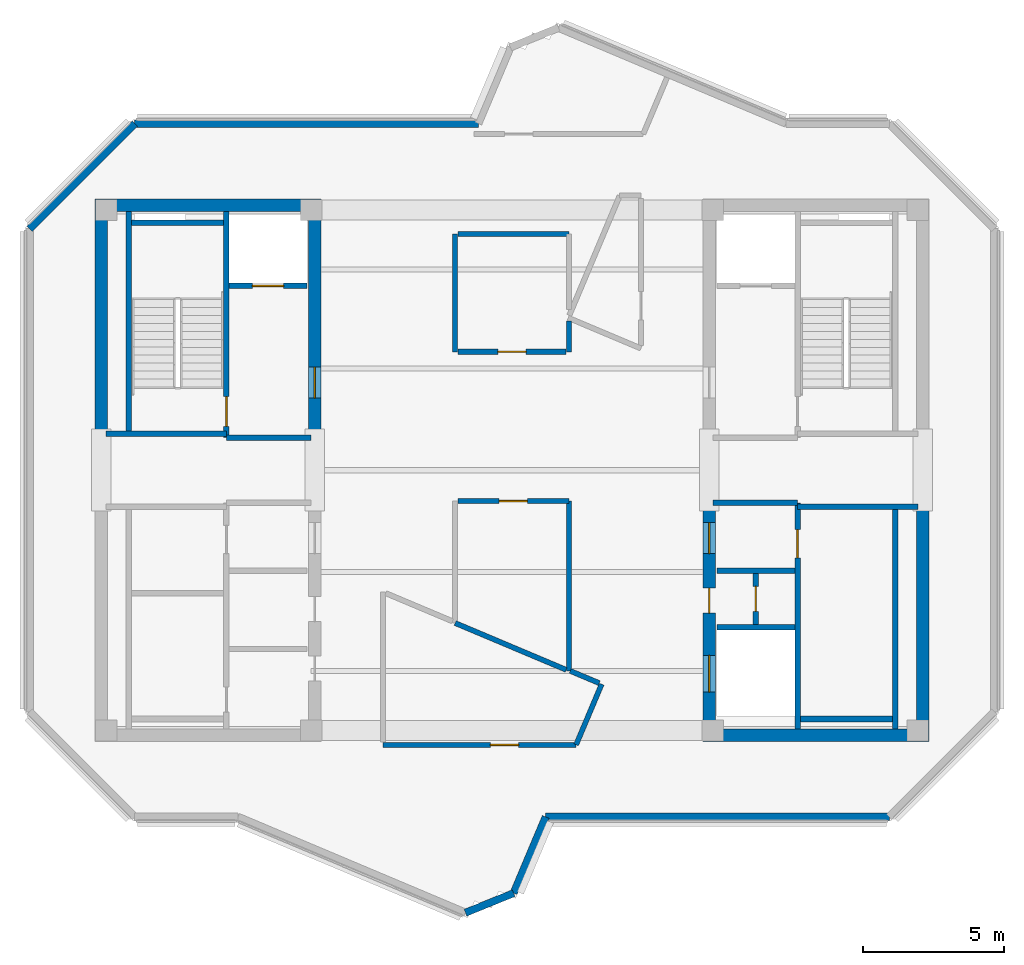
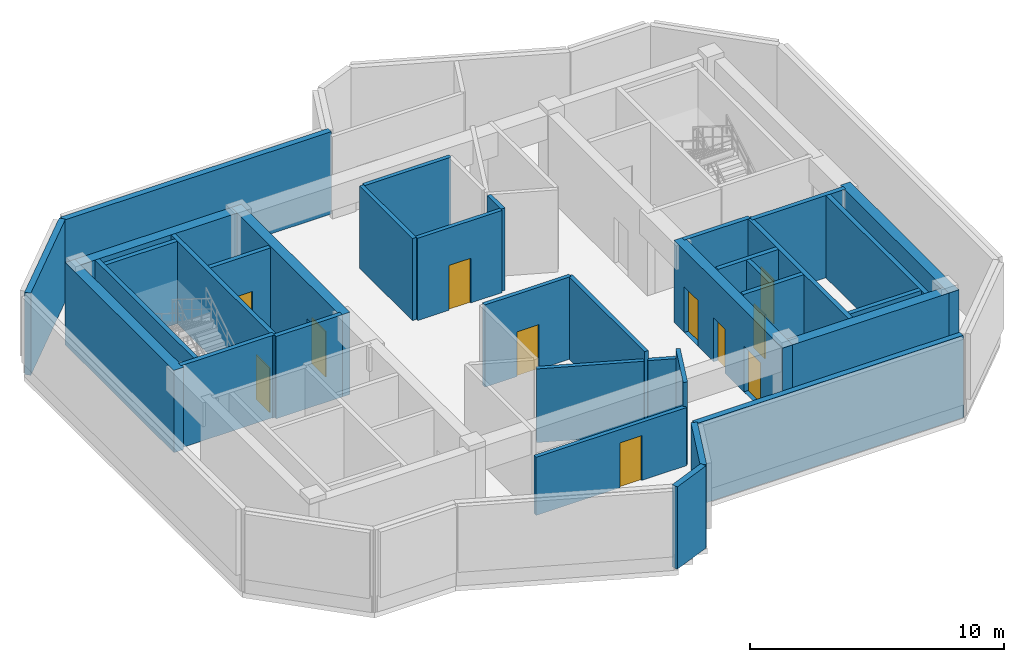
# One storey, part 2 of 5: 35 walls, 11 doors, 11 openings.
"""IFC4 building model written with IfcOpenShell, lengths in metres."""

from ifc_helpers import new_model, si_unit, direction, frame, frame_2d, origin, place, context, subcontext, project, spatial, rectangle, extrude, source, transform, mapped, material, layer, layer_set, type_object, element, fill, save


model = new_model("IFC4")

# Units and contexts
model_context = context("Model", 3, precision=1e-05, world=origin(), true_north=direction((0.0, 1.0)))
body_context = subcontext(model_context, "Body", "Model", "MODEL_VIEW")
ifc_project = project(units=[si_unit("LENGTHUNIT", "METRE"), si_unit("AREAUNIT", "SQUARE_METRE"), si_unit("VOLUMEUNIT", "CUBIC_METRE"), si_unit("PLANEANGLEUNIT", "RADIAN"), si_unit("MASSUNIT", "GRAM", prefix="KILO")], contexts=[model_context])

# Site, building, storey
site_placement = place(None, origin())
site = spatial("IfcSite", under=ifc_project, at=site_placement, CompositionType="ELEMENT")
building_placement = place(site_placement, origin())
building = spatial("IfcBuilding", under=site, at=building_placement, Name="Zahravan Cultural Tower", CompositionType="ELEMENT")
storey_placement = place(building_placement, frame((0.0, 0.0, 379.64990234375)))
storey = spatial("IfcBuildingStorey", under=building, at=storey_placement, Name="L92", CompositionType="ELEMENT", Elevation=379.64990234375)

# Wall, opening, door
ifc_material_1 = material(Name="Concrete C50/60", Category="concrete")
ifc_layer_1 = layer(ifc_material_1, 0.449951171875)
ifc_layer_set_1 = layer_set([ifc_layer_1], Name="Concrete C50/60")
wall_type_1 = type_object("IfcWallType", Name="CW-SHEAR-450-C50", PredefinedType="SHEAR", material=ifc_layer_set_1)
wall_1_placement = place(storey_placement, frame((29.02490234375, 28.050048828125, 0.0), z_axis=(0.0, 0.0, 1.0), x_axis=(0.0, 1.0, 0.0)))
wall_1 = element("IfcWall", 1, at=wall_1_placement, inside=storey, type_object=wall_type_1, Name="L92 Core Shear Wall CW-W-EN-L92", PredefinedType="SHEAR", context=body_context, shape_type="SweptSolid", body=[
    extrude(rectangle(XDim=8.550048828125, YDim=0.449951171875, at=frame_2d((4.27490234375, 0.0))), origin(), (0.0, 0.0, 1.0), 3.9501953125),
])
opening_1_placement = place(wall_1_placement, frame((1.5, 0.0, 0.0)))
opening_1 = element("IfcOpeningElement", 2, at=opening_1_placement, cuts=wall_1, Name="Opening D-L92-06", PredefinedType="OPENING", context=body_context, shape_type="SweptSolid", body=[
    extrude(rectangle(XDim=1.10009765625, YDim=2.199951171875, at=frame_2d((0.550048828125, 1.10009765625))), frame((0.0, 0.23486328125, 0.0), z_axis=(0.0, -1.0, 0.0), x_axis=(1.0, 0.0, 0.0)), (0.0, 0.0, 1.0), 0.469970703125),
])
ifc_material_2 = material(Name="Steel ASTM A572 Grade 50", Category="steel")
door_type_1 = type_object("IfcDoorType", Name="DR-LOBBY-1100", OperationType="NOTDEFINED", PredefinedType="DOOR", material=ifc_material_2)
shared_shape_1 = source(origin(), body_context, "Body", "SweptSolid", [
    extrude(rectangle(XDim=1.10009765625, YDim=2.199951171875, at=frame_2d((0.550048828125, 1.10009765625))), frame((0.0, 0.02490234375, 0.0), z_axis=(0.0, -1.0, 0.0), x_axis=(1.0, 0.0, 0.0)), (0.0, 0.0, 1.0), 0.050048828125),
])
door_1_placement = place(opening_1_placement, origin())
door_1 = element("IfcDoor", 3, at=door_1_placement, inside=storey, type_object=door_type_1, Name="L92 Door D-L92-06", OperationType="SINGLE_SWING_RIGHT", OverallHeight=2.199951171875, OverallWidth=1.10009765625, PredefinedType="DOOR", context=body_context, shape_type="MappedRepresentation", body=[
    mapped(shared_shape_1, transform((0.0, 0.0, 0.0), x_axis=(1.0, 0.0, 0.0), y_axis=(0.0, 1.0, 0.0), z_axis=(0.0, 0.0, 1.0), scale=1.0)),
])
fill(opening_1, door_1)

# Wall, openings, doors
wall_2_placement = place(storey_placement, frame((42.97509765625, 17.39990234375, 0.0), z_axis=(0.0, 0.0, 1.0), x_axis=(0.0, 1.0, 0.0)))
wall_2 = element("IfcWall", 4, at=wall_2_placement, inside=storey, type_object=wall_type_1, Name="L92 Core Shear Wall CW-E-WS-L92", PredefinedType="SHEAR", context=body_context, shape_type="SweptSolid", body=[
    extrude(rectangle(XDim=8.550048828125, YDim=0.449951171875, at=frame_2d((4.27490234375, 0.0))), origin(), (0.0, 0.0, 1.0), 3.9501953125),
])
opening_2_placement = place(wall_2_placement, frame((6.64990234375, 0.0, 0.0)))
opening_2 = element("IfcOpeningElement", 5, at=opening_2_placement, cuts=wall_2, Name="Opening D-L92-09", PredefinedType="OPENING", context=body_context, shape_type="SweptSolid", body=[
    extrude(rectangle(XDim=1.10009765625, YDim=2.199951171875, at=frame_2d((0.550048828125, 1.10009765625))), frame((0.0, 0.23486328125, 0.0), z_axis=(0.0, -1.0, 0.0), x_axis=(1.0, 0.0, 0.0)), (0.0, 0.0, 1.0), 0.469970703125),
])
opening_3_placement = place(wall_2_placement, frame((1.75, 0.0, 0.0)))
opening_3 = element("IfcOpeningElement", 6, at=opening_3_placement, cuts=wall_2, Name="Opening LD-L92-03", PredefinedType="OPENING", context=body_context, shape_type="SweptSolid", body=[
    extrude(rectangle(XDim=1.300048828125, YDim=2.199951171875, at=frame_2d((0.64990234375, 1.10009765625))), frame((0.0, 0.23486328125, 0.0), z_axis=(0.0, -1.0, 0.0), x_axis=(1.0, 0.0, 0.0)), (0.0, 0.0, 1.0), 0.469970703125),
])
opening_4_placement = place(wall_2_placement, frame((4.550048828125, 0.0, 0.0)))
opening_4 = element("IfcOpeningElement", 7, at=opening_4_placement, cuts=wall_2, Name="Opening D-L92-12", PredefinedType="OPENING", context=body_context, shape_type="SweptSolid", body=[
    extrude(rectangle(XDim=0.8798828125, YDim=2.10009765625, at=frame_2d((0.43994140625, 1.050048828125))), frame((0.0, 0.23486328125, 0.0), z_axis=(0.0, -1.0, 0.0), x_axis=(1.0, 0.0, 0.0)), (0.0, 0.0, 1.0), 0.469970703125),
])
door_2_placement = place(opening_2_placement, origin())
door_2 = element("IfcDoor", 8, at=door_2_placement, inside=storey, type_object=door_type_1, Name="L92 Door D-L92-09", OperationType="SINGLE_SWING_LEFT", OverallHeight=2.199951171875, OverallWidth=1.10009765625, PredefinedType="DOOR", context=body_context, shape_type="MappedRepresentation", body=[
    mapped(shared_shape_1, transform((0.0, 0.0, 0.0), x_axis=(1.0, 0.0, 0.0), y_axis=(0.0, 1.0, 0.0), z_axis=(0.0, 0.0, 1.0), scale=1.0)),
])
fill(opening_2, door_2)
door_type_2 = type_object("IfcDoorType", Name="DR-LIFT-1300", OperationType="DOUBLE_DOOR_SLIDING", PredefinedType="DOOR", material=ifc_material_2)
shared_shape_2 = source(origin(), body_context, "Body", "SweptSolid", [
    extrude(rectangle(XDim=1.300048828125, YDim=2.199951171875, at=frame_2d((0.64990234375, 1.10009765625))), frame((0.0, 0.02490234375, 0.0), z_axis=(0.0, -1.0, 0.0), x_axis=(1.0, 0.0, 0.0)), (0.0, 0.0, 1.0), 0.050048828125),
])
door_3_placement = place(opening_3_placement, origin())
door_3 = element("IfcDoor", 9, at=door_3_placement, inside=storey, type_object=door_type_2, Name="L92 Door LD-L92-03", OperationType="DOUBLE_DOOR_SLIDING", OverallHeight=2.199951171875, OverallWidth=1.300048828125, PredefinedType="DOOR", context=body_context, shape_type="MappedRepresentation", body=[
    mapped(shared_shape_2, transform((0.0, 0.0, 0.0), x_axis=(1.0, 0.0, 0.0), y_axis=(0.0, 1.0, 0.0), z_axis=(0.0, 0.0, 1.0), scale=1.0)),
])
fill(opening_3, door_3)
door_type_3 = type_object("IfcDoorType", Name="DR-SVC-880", OperationType="NOTDEFINED", PredefinedType="DOOR", material=ifc_material_2)
shared_shape_3 = source(origin(), body_context, "Body", "SweptSolid", [
    extrude(rectangle(XDim=0.8798828125, YDim=2.10009765625, at=frame_2d((0.43994140625, 1.050048828125))), frame((0.0, 0.02490234375, 0.0), z_axis=(0.0, -1.0, 0.0), x_axis=(1.0, 0.0, 0.0)), (0.0, 0.0, 1.0), 0.050048828125),
])
door_4_placement = place(opening_4_placement, origin())
door_4 = element("IfcDoor", 10, at=door_4_placement, inside=storey, type_object=door_type_3, Name="L92 Door D-L92-12", OperationType="SINGLE_SWING_RIGHT", OverallHeight=2.10009765625, OverallWidth=0.8798828125, PredefinedType="DOOR", context=body_context, shape_type="MappedRepresentation", body=[
    mapped(shared_shape_3, transform((0.0, 0.0, 0.0), x_axis=(1.0, 0.0, 0.0), y_axis=(0.0, 1.0, 0.0), z_axis=(0.0, 0.0, 1.0), scale=1.0)),
])
fill(opening_4, door_4)

# Wall, opening, door
ifc_material_3 = material(Name="Gypsum plasterboard partition")
ifc_layer_2 = layer(ifc_material_3, 0.179931640625)
ifc_layer_set_2 = layer_set([ifc_layer_2], Name="Gypsum plasterboard partition")
wall_type_2 = type_object("IfcWallType", Name="W-COMP-180", PredefinedType="PARTITIONING", material=ifc_layer_set_2)
wall_3_placement = place(storey_placement, frame((44.6201171875, 21.550048828125, 0.0), z_axis=(0.0, 0.0, 1.0), x_axis=(0.0, 1.0, 0.0)))
wall_3 = element("IfcWall", 11, at=wall_3_placement, inside=storey, type_object=wall_type_2, Name="L92 Interior Wall 028", PredefinedType="PARTITIONING", context=body_context, shape_type="SweptSolid", body=[
    extrude(rectangle(XDim=1.800048828125, YDim=0.179931640625, at=frame_2d((0.89990234375, 0.0))), origin(), (0.0, 0.0, 1.0), 3.9501953125),
])
opening_5_placement = place(wall_3_placement, frame((0.4599609375, 0.0, 0.0)))
opening_5 = element("IfcOpeningElement", 12, at=opening_5_placement, cuts=wall_3, Name="Opening D-L92-13", PredefinedType="OPENING", context=body_context, shape_type="SweptSolid", body=[
    extrude(rectangle(XDim=0.8798828125, YDim=2.10009765625, at=frame_2d((0.43994140625, 1.050048828125))), frame((0.0, 0.099853515625, 0.0), z_axis=(0.0, -1.0, 0.0), x_axis=(1.0, 0.0, 0.0)), (0.0, 0.0, 1.0), 0.199951171875),
])
door_5_placement = place(opening_5_placement, origin())
door_5 = element("IfcDoor", 13, at=door_5_placement, inside=storey, type_object=door_type_3, Name="L92 Door D-L92-13", OperationType="SINGLE_SWING_LEFT", OverallHeight=2.10009765625, OverallWidth=0.8798828125, PredefinedType="DOOR", context=body_context, shape_type="MappedRepresentation", body=[
    mapped(shared_shape_3, transform((0.0, 0.0, 0.0), x_axis=(1.0, 0.0, 0.0), y_axis=(0.0, 1.0, 0.0), z_axis=(0.0, 0.0, 1.0), scale=1.0)),
])
fill(opening_5, door_5)

wall_4_placement = place(storey_placement, frame((37.9150390625, 31.18994140625, 0.0), z_axis=(0.0, 0.0, 1.0), x_axis=(-1.0, 0.0, 0.0)))
wall_4 = element("IfcWall", 14, at=wall_4_placement, inside=storey, type_object=wall_type_2, Name="L92 Interior Wall 037", PredefinedType="PARTITIONING", context=body_context, shape_type="SweptSolid", body=[
    extrude(rectangle(XDim=3.830078125, YDim=0.179931640625, at=frame_2d((1.9150390625, 0.0))), origin(), (0.0, 0.0, 1.0), 3.9501953125),
])
opening_6_placement = place(wall_4_placement, frame((1.4150390625, 0.0, 0.0)))
opening_6 = element("IfcOpeningElement", 15, at=opening_6_placement, cuts=wall_4, Name="Opening D-L92-14", PredefinedType="OPENING", context=body_context, shape_type="SweptSolid", body=[
    extrude(rectangle(XDim=1.0, YDim=2.14990234375, at=frame_2d((0.5, 1.074951171875))), frame((0.0, 0.099853515625, 0.0), z_axis=(0.0, -1.0, 0.0), x_axis=(1.0, 0.0, 0.0)), (0.0, 0.0, 1.0), 0.199951171875),
])
door_type_4 = type_object("IfcDoorType", Name="DR-COMP-1000", OperationType="NOTDEFINED", PredefinedType="DOOR", material=ifc_material_2)
shared_shape_4 = source(origin(), body_context, "Body", "SweptSolid", [
    extrude(rectangle(XDim=1.0, YDim=2.14990234375, at=frame_2d((0.5, 1.074951171875))), frame((0.0, 0.02490234375, 0.0), z_axis=(0.0, -1.0, 0.0), x_axis=(1.0, 0.0, 0.0)), (0.0, 0.0, 1.0), 0.050048828125),
])
door_6_placement = place(opening_6_placement, origin())
door_6 = element("IfcDoor", 16, at=door_6_placement, inside=storey, type_object=door_type_4, Name="L92 Door D-L92-14", OperationType="SINGLE_SWING_RIGHT", OverallHeight=2.14990234375, OverallWidth=1.0, PredefinedType="DOOR", context=body_context, shape_type="MappedRepresentation", body=[
    mapped(shared_shape_4, transform((0.0, 0.0, 0.0), x_axis=(1.0, 0.0, 0.0), y_axis=(0.0, 1.0, 0.0), z_axis=(0.0, 0.0, 1.0), scale=1.0)),
])
fill(opening_6, door_6)

wall_5_placement = place(storey_placement, frame((34.0849609375, 25.909912109375, 0.0), z_axis=(0.0, 0.0, 1.0), x_axis=(1.0, 0.0, 0.0)))
wall_5 = element("IfcWall", 17, at=wall_5_placement, inside=storey, type_object=wall_type_2, Name="L92 Interior Wall 041", PredefinedType="PARTITIONING", context=body_context, shape_type="SweptSolid", body=[
    extrude(rectangle(XDim=3.925048828125, YDim=0.179931640625, at=frame_2d((1.96240234375, 0.0))), origin(), (0.0, 0.0, 1.0), 3.9501953125),
])
opening_7_placement = place(wall_5_placement, frame((1.46240234375, 0.0, 0.0)))
opening_7 = element("IfcOpeningElement", 18, at=opening_7_placement, cuts=wall_5, Name="Opening D-L92-18", PredefinedType="OPENING", context=body_context, shape_type="SweptSolid", body=[
    extrude(rectangle(XDim=1.0, YDim=2.14990234375, at=frame_2d((0.5, 1.074951171875))), frame((0.0, 0.099853515625, 0.0), z_axis=(0.0, -1.0, 0.0), x_axis=(1.0, 0.0, 0.0)), (0.0, 0.0, 1.0), 0.199951171875),
])
door_7_placement = place(opening_7_placement, origin())
door_7 = element("IfcDoor", 19, at=door_7_placement, inside=storey, type_object=door_type_4, Name="L92 Door D-L92-18", OperationType="SINGLE_SWING_RIGHT", OverallHeight=2.14990234375, OverallWidth=1.0, PredefinedType="DOOR", context=body_context, shape_type="MappedRepresentation", body=[
    mapped(shared_shape_4, transform((0.0, 0.0, 0.0), x_axis=(1.0, 0.0, 0.0), y_axis=(0.0, 1.0, 0.0), z_axis=(0.0, 0.0, 1.0), scale=1.0)),
])
fill(opening_7, door_7)

wall_6_placement = place(storey_placement, frame((38.267333984375, 17.2900390625, 0.0), z_axis=(0.0, 0.0, 1.0), x_axis=(-1.0, 0.0, 0.0)))
wall_6 = element("IfcWall", 20, at=wall_6_placement, inside=storey, type_object=wall_type_2, Name="L92 Interior Wall 045", PredefinedType="PARTITIONING", context=body_context, shape_type="SweptSolid", body=[
    extrude(rectangle(XDim=6.827392578125, YDim=0.179931640625, at=frame_2d((3.41357421875, 0.0))), origin(), (0.0, 0.0, 1.0), 2.7919921875),
])
opening_8_placement = place(wall_6_placement, frame((2.031982421875, 0.0, 0.0)))
opening_8 = element("IfcOpeningElement", 21, at=opening_8_placement, cuts=wall_6, Name="Opening D-L92-17", PredefinedType="OPENING", context=body_context, shape_type="SweptSolid", body=[
    extrude(rectangle(XDim=1.0, YDim=2.14990234375, at=frame_2d((0.5, 1.074951171875))), frame((0.0, 0.099853515625, 0.0), z_axis=(0.0, -1.0, 0.0), x_axis=(1.0, 0.0, 0.0)), (0.0, 0.0, 1.0), 0.199951171875),
])
door_8_placement = place(opening_8_placement, origin())
door_8 = element("IfcDoor", 22, at=door_8_placement, inside=storey, type_object=door_type_4, Name="L92 Door D-L92-17", OperationType="SINGLE_SWING_LEFT", OverallHeight=2.14990234375, OverallWidth=1.0, PredefinedType="DOOR", context=body_context, shape_type="MappedRepresentation", body=[
    mapped(shared_shape_4, transform((0.0, 0.0, 0.0), x_axis=(1.0, 0.0, 0.0), y_axis=(0.0, 1.0, 0.0), z_axis=(0.0, 0.0, 1.0), scale=1.0)),
])
fill(opening_8, door_8)

ifc_material_4 = material(Name="Concrete C45/55", Category="concrete")
ifc_layer_3 = layer(ifc_material_4, 0.199951171875)
ifc_layer_set_3 = layer_set([ifc_layer_3], Name="Concrete C45/55")
wall_type_3 = type_object("IfcWallType", Name="W-SHAFT-200", PredefinedType="SOLIDWALL", material=ifc_layer_set_3)
wall_7_placement = place(storey_placement, frame((25.89990234375, 28.14990234375, 0.0), z_axis=(0.0, 0.0, 1.0), x_axis=(0.0, 1.0, 0.0)))
wall_7 = element("IfcWall", 23, at=wall_7_placement, inside=storey, type_object=wall_type_3, Name="L92 Interior Wall 006", PredefinedType="SOLIDWALL", context=body_context, shape_type="SweptSolid", body=[
    extrude(rectangle(XDim=8.0, YDim=0.199951171875, at=frame_2d((4.0, 0.0))), origin(), (0.0, 0.0, 1.0), 3.9501953125),
])
opening_9_placement = place(wall_7_placement, frame((0.39990234375, 0.0, 0.0)))
opening_9 = element("IfcOpeningElement", 24, at=opening_9_placement, cuts=wall_7, Name="Opening D-L92-01", PredefinedType="OPENING", context=body_context, shape_type="SweptSolid", body=[
    extrude(rectangle(XDim=1.050048828125, YDim=2.14990234375, at=frame_2d((0.52490234375, 1.074951171875))), frame((0.0, 0.10986328125, 0.0), z_axis=(0.0, -1.0, 0.0), x_axis=(1.0, 0.0, 0.0)), (0.0, 0.0, 1.0), 0.219970703125),
])
door_type_5 = type_object("IfcDoorType", Name="DR-STAIR-1050", OperationType="NOTDEFINED", PredefinedType="DOOR", material=ifc_material_2)
shared_shape_5 = source(origin(), body_context, "Body", "SweptSolid", [
    extrude(rectangle(XDim=1.050048828125, YDim=2.14990234375, at=frame_2d((0.52490234375, 1.074951171875))), frame((0.0, 0.02490234375, 0.0), z_axis=(0.0, -1.0, 0.0), x_axis=(1.0, 0.0, 0.0)), (0.0, 0.0, 1.0), 0.050048828125),
])
door_9_placement = place(opening_9_placement, origin())
door_9 = element("IfcDoor", 25, at=door_9_placement, inside=storey, type_object=door_type_5, Name="L92 Door D-L92-01", OperationType="SINGLE_SWING_LEFT", OverallHeight=2.14990234375, OverallWidth=1.050048828125, PredefinedType="DOOR", context=body_context, shape_type="MappedRepresentation", body=[
    mapped(shared_shape_5, transform((0.0, 0.0, 0.0), x_axis=(1.0, 0.0, 0.0), y_axis=(0.0, 1.0, 0.0), z_axis=(0.0, 0.0, 1.0), scale=1.0)),
])
fill(opening_9, door_9)

wall_8_placement = place(storey_placement, frame((46.10009765625, 17.85009765625, 0.0), z_axis=(0.0, 0.0, 1.0), x_axis=(0.0, 1.0, 0.0)))
wall_8 = element("IfcWall", 26, at=wall_8_placement, inside=storey, type_object=wall_type_3, Name="L92 Interior Wall 007", PredefinedType="SOLIDWALL", context=body_context, shape_type="SweptSolid", body=[
    extrude(rectangle(XDim=8.0, YDim=0.199951171875, at=frame_2d((4.0, 0.0))), origin(), (0.0, 0.0, 1.0), 3.9501953125),
])
opening_10_placement = place(wall_8_placement, frame((6.050048828125, 0.0, 0.0)))
opening_10 = element("IfcOpeningElement", 27, at=opening_10_placement, cuts=wall_8, Name="Opening D-L92-03", PredefinedType="OPENING", context=body_context, shape_type="SweptSolid", body=[
    extrude(rectangle(XDim=1.0, YDim=2.14990234375, at=frame_2d((0.5, 1.074951171875))), frame((0.0, 0.10986328125, 0.0), z_axis=(0.0, -1.0, 0.0), x_axis=(1.0, 0.0, 0.0)), (0.0, 0.0, 1.0), 0.219970703125),
])
door_10_placement = place(opening_10_placement, origin())
door_10 = element("IfcDoor", 28, at=door_10_placement, inside=storey, type_object=door_type_4, Name="L92 Door D-L92-03", OperationType="SINGLE_SWING_LEFT", OverallHeight=2.14990234375, OverallWidth=1.0, PredefinedType="DOOR", context=body_context, shape_type="MappedRepresentation", body=[
    mapped(shared_shape_4, transform((0.0, 0.0, 0.0), x_axis=(1.0, 0.0, 0.0), y_axis=(0.0, 1.0, 0.0), z_axis=(0.0, 0.0, 1.0), scale=1.0)),
])
fill(opening_10, door_10)

wall_9_placement = place(storey_placement, frame((26.0, 33.52001953125, 0.0), z_axis=(0.0, 0.0, 1.0), x_axis=(1.0, 0.0, 0.0)))
wall_9 = element("IfcWall", 29, at=wall_9_placement, inside=storey, type_object=wall_type_3, Name="L92 Interior Wall 022", PredefinedType="SOLIDWALL", context=body_context, shape_type="SweptSolid", body=[
    extrude(rectangle(XDim=2.75, YDim=0.199951171875, at=frame_2d((1.375, 0.0))), origin(), (0.0, 0.0, 1.0), 3.9501953125),
])
opening_11_placement = place(wall_9_placement, frame((0.820068359375, 0.0, 0.0)))
opening_11 = element("IfcOpeningElement", 30, at=opening_11_placement, cuts=wall_9, Name="Opening LD-L92-01", PredefinedType="OPENING", context=body_context, shape_type="SweptSolid", body=[
    extrude(rectangle(XDim=1.10009765625, YDim=2.14990234375, at=frame_2d((0.550048828125, 1.074951171875))), frame((0.0, 0.10986328125, 0.0), z_axis=(0.0, -1.0, 0.0), x_axis=(1.0, 0.0, 0.0)), (0.0, 0.0, 1.0), 0.219970703125),
])
door_type_6 = type_object("IfcDoorType", Name="DR-LIFT-1100", OperationType="DOUBLE_DOOR_SLIDING", PredefinedType="DOOR", material=ifc_material_2)
shared_shape_6 = source(origin(), body_context, "Body", "SweptSolid", [
    extrude(rectangle(XDim=1.10009765625, YDim=2.14990234375, at=frame_2d((0.550048828125, 1.074951171875))), frame((0.0, 0.02490234375, 0.0), z_axis=(0.0, -1.0, 0.0), x_axis=(1.0, 0.0, 0.0)), (0.0, 0.0, 1.0), 0.050048828125),
])
door_11_placement = place(opening_11_placement, origin())
door_11 = element("IfcDoor", 31, at=door_11_placement, inside=storey, type_object=door_type_6, Name="L92 Door LD-L92-01", OperationType="DOUBLE_DOOR_SLIDING", OverallHeight=2.14990234375, OverallWidth=1.10009765625, PredefinedType="DOOR", context=body_context, shape_type="MappedRepresentation", body=[
    mapped(shared_shape_6, transform((0.0, 0.0, 0.0), x_axis=(1.0, 0.0, 0.0), y_axis=(0.0, 1.0, 0.0), z_axis=(0.0, 0.0, 1.0), scale=1.0)),
])
fill(opening_11, door_11)

# Walls
shared_shape_7 = source(origin(), body_context, "Body", "SweptSolid", [
    extrude(rectangle(XDim=8.550048828125, YDim=0.449951171875, at=frame_2d((4.27490234375, 0.0))), origin(), (0.0, 0.0, 1.0), 3.9501953125),
])
for number, where, z_axis, x_axis, name in (
    (32, (21.47509765625, 28.050048828125, 0.0), (0.0, 0.0, 1.0), (0.0, 1.0, 0.0), "L92 Core Shear Wall CW-W-WN-L92"),
    (33, (50.52490234375, 17.39990234375, 0.0), (0.0, 0.0, 1.0), (0.0, 1.0, 0.0), "L92 Core Shear Wall CW-E-ES-L92"),
):
    element("IfcWall", number, at=place(storey_placement, frame(where, z_axis=z_axis, x_axis=x_axis)), inside=storey, type_object=wall_type_1, Name=name, PredefinedType="SHEAR", context=body_context, shape_type="MappedRepresentation", body=[
        mapped(shared_shape_7, transform((0.0, 0.0, 0.0), x_axis=(1.0, 0.0, 0.0), y_axis=(0.0, 1.0, 0.0), z_axis=(0.0, 0.0, 1.0), scale=1.0)),
    ])
shared_shape_8 = source(origin(), body_context, "Body", "SweptSolid", [
    extrude(rectangle(XDim=7.10009765625, YDim=0.449951171875, at=frame_2d((3.550048828125, 0.0))), origin(), (0.0, 0.0, 1.0), 3.9501953125),
])
for number, where, z_axis, x_axis, name in (
    (34, (21.699951171875, 36.375, 0.0), (0.0, 0.0, 1.0), (1.0, 0.0, 0.0), "L92 Core Shear Wall CW-W-N-L92"),
    (35, (43.199951171875, 17.625, 0.0), (0.0, 0.0, 1.0), (1.0, 0.0, 0.0), "L92 Core Shear Wall CW-E-S-L92"),
):
    element("IfcWall", number, at=place(storey_placement, frame(where, z_axis=z_axis, x_axis=x_axis)), inside=storey, type_object=wall_type_1, Name=name, PredefinedType="SHEAR", context=body_context, shape_type="MappedRepresentation", body=[
        mapped(shared_shape_8, transform((0.0, 0.0, 0.0), x_axis=(1.0, 0.0, 0.0), y_axis=(0.0, 1.0, 0.0), z_axis=(0.0, 0.0, 1.0), scale=1.0)),
    ])
ifc_material_5 = material(Name="Precast concrete C40/50", Category="concrete")
ifc_layer_4 = layer(ifc_material_5, 0.260009765625)
ifc_layer_set_4 = layer_set([ifc_layer_4], Name="Precast concrete C40/50")
wall_type_4 = type_object("IfcWallType", Name="EW-CROWN-260", PredefinedType="SOLIDWALL", material=ifc_layer_set_4)
shared_shape_9 = source(origin(), body_context, "Body", "SweptSolid", [
    extrude(rectangle(XDim=2.92529296875, YDim=0.260009765625, at=frame_2d((1.462646484375, 0.0))), origin(), (0.0, 0.0, 1.0), 3.9501953125),
])
wall_10_placement = place(storey_placement, frame((37.19287109375, 14.739990234375, 0.0), z_axis=(0.0, 0.0, 1.0), x_axis=(-0.388321883953, -0.921523800259, 0.0)))
element("IfcWall", 36, at=wall_10_placement, inside=storey, type_object=wall_type_4, Name="L92 Exterior Masonry Frame Wall 09", PredefinedType="SOLIDWALL", context=body_context, shape_type="MappedRepresentation", body=[
    mapped(shared_shape_9, transform((0.0, 0.0, 0.0), x_axis=(1.0, 0.0, 0.0), y_axis=(0.0, 1.0, 0.0), z_axis=(0.0, 0.0, 1.0), scale=1.0)),
])
shared_shape_10 = source(origin(), body_context, "Body", "SweptSolid", [
    extrude(rectangle(XDim=1.838623046875, YDim=0.260009765625, at=frame_2d((0.91943359375, 0.0))), origin(), (0.0, 0.0, 1.0), 3.9501953125),
])
wall_11_placement = place(storey_placement, frame((36.056884765625, 12.044189453125, 0.0), z_axis=(0.0, 0.0, 1.0), x_axis=(-0.926216039781, -0.376993166586, 0.0)))
element("IfcWall", 37, at=wall_11_placement, inside=storey, type_object=wall_type_4, Name="L92 Exterior Masonry Frame Wall 10", PredefinedType="SOLIDWALL", context=body_context, shape_type="MappedRepresentation", body=[
    mapped(shared_shape_10, transform((0.0, 0.0, 0.0), x_axis=(1.0, 0.0, 0.0), y_axis=(0.0, 1.0, 0.0), z_axis=(0.0, 0.0, 1.0), scale=1.0)),
])
shared_shape_11 = source(origin(), body_context, "Body", "SweptSolid", [
    extrude(rectangle(XDim=5.258056640625, YDim=0.260009765625, at=frame_2d((2.62890625, 0.0))), origin(), (0.0, 0.0, 1.0), 3.9501953125),
])
wall_12_placement = place(storey_placement, frame((18.93994140625, 35.5419921875, 0.0), z_axis=(0.0, 0.0, 1.0), x_axis=(0.707106781187, 0.707106781187, 0.0)))
element("IfcWall", 38, at=wall_12_placement, inside=storey, type_object=wall_type_4, Name="L92 Exterior Masonry Frame Wall 15", PredefinedType="SOLIDWALL", context=body_context, shape_type="MappedRepresentation", body=[
    mapped(shared_shape_11, transform((0.0, 0.0, 0.0), x_axis=(1.0, 0.0, 0.0), y_axis=(0.0, 1.0, 0.0), z_axis=(0.0, 0.0, 1.0), scale=1.0)),
])
shared_shape_12 = source(origin(), body_context, "Body", "SweptSolid", [
    extrude(rectangle(XDim=12.149169921875, YDim=0.260009765625, at=frame_2d((6.07470703125, 0.0))), origin(), (0.0, 0.0, 1.0), 3.9501953125),
])
for number, where, z_axis, x_axis, name in (
    (39, (49.342041015625, 14.739990234375, 0.0), (0.0, 0.0, 1.0), (-1.0, 0.0, 0.0), "L92 Exterior Masonry Frame Wall 08"),
    (40, (22.657958984375, 39.260009765625, 0.0), (0.0, 0.0, 1.0), (1.0, 0.0, 0.0), "L92 Exterior Masonry Frame Wall 16"),
):
    element("IfcWall", number, at=place(storey_placement, frame(where, z_axis=z_axis, x_axis=x_axis)), inside=storey, type_object=wall_type_4, Name=name, PredefinedType="SOLIDWALL", context=body_context, shape_type="MappedRepresentation", body=[
        mapped(shared_shape_12, transform((0.0, 0.0, 0.0), x_axis=(1.0, 0.0, 0.0), y_axis=(0.0, 1.0, 0.0), z_axis=(0.0, 0.0, 1.0), scale=1.0)),
    ])
shared_shape_13 = source(origin(), body_context, "Body", "SweptSolid", [
    extrude(rectangle(XDim=7.869873046875, YDim=0.199951171875, at=frame_2d((3.93505859375, 0.0))), origin(), (0.0, 0.0, 1.0), 3.9501953125),
])
for number, where, z_axis, x_axis, name in (
    (41, (22.449951171875, 28.280029296875, 0.0), (0.0, 0.0, 1.0), (0.0, 1.0, 0.0), "L92 Interior Wall 002"),
    (42, (49.550048828125, 17.85009765625, 0.0), (0.0, 0.0, 1.0), (0.0, 1.0, 0.0), "L92 Interior Wall 003"),
):
    element("IfcWall", number, at=place(storey_placement, frame(where, z_axis=z_axis, x_axis=x_axis)), inside=storey, type_object=wall_type_3, Name=name, PredefinedType="SOLIDWALL", context=body_context, shape_type="MappedRepresentation", body=[
        mapped(shared_shape_13, transform((0.0, 0.0, 0.0), x_axis=(1.0, 0.0, 0.0), y_axis=(0.0, 1.0, 0.0), z_axis=(0.0, 0.0, 1.0), scale=1.0)),
    ])
shared_shape_14 = source(origin(), body_context, "Body", "SweptSolid", [
    extrude(rectangle(XDim=4.25, YDim=0.199951171875, at=frame_2d((2.125, 0.0))), origin(), (0.0, 0.0, 1.0), 3.9501953125),
])
for number, where, z_axis, x_axis, name in (
    (43, (21.64990234375, 28.284912109375, 0.0), (0.0, 0.0, 1.0), (1.0, 0.0, 0.0), "L92 Interior Wall 011"),
    (44, (46.10009765625, 25.715087890625, 0.0), (0.0, 0.0, 1.0), (1.0, 0.0, 0.0), "L92 Interior Wall 014"),
):
    element("IfcWall", number, at=place(storey_placement, frame(where, z_axis=z_axis, x_axis=x_axis)), inside=storey, type_object=wall_type_3, Name=name, PredefinedType="SOLIDWALL", context=body_context, shape_type="MappedRepresentation", body=[
        mapped(shared_shape_14, transform((0.0, 0.0, 0.0), x_axis=(1.0, 0.0, 0.0), y_axis=(0.0, 1.0, 0.0), z_axis=(0.0, 0.0, 1.0), scale=1.0)),
    ])
shared_shape_15 = source(origin(), body_context, "Body", "SweptSolid", [
    extrude(rectangle(XDim=3.0, YDim=0.199951171875, at=frame_2d((1.5, 0.0))), origin(), (0.0, 0.0, 1.0), 3.9501953125),
])
for number, where, z_axis, x_axis, name in (
    (45, (25.89990234375, 28.14990234375, 0.0), (0.0, 0.0, 1.0), (1.0, 0.0, 0.0), "L92 Interior Wall 012"),
    (46, (43.10009765625, 25.85009765625, 0.0), (0.0, 0.0, 1.0), (1.0, 0.0, 0.0), "L92 Interior Wall 013"),
):
    element("IfcWall", number, at=place(storey_placement, frame(where, z_axis=z_axis, x_axis=x_axis)), inside=storey, type_object=wall_type_3, Name=name, PredefinedType="SOLIDWALL", context=body_context, shape_type="MappedRepresentation", body=[
        mapped(shared_shape_15, transform((0.0, 0.0, 0.0), x_axis=(1.0, 0.0, 0.0), y_axis=(0.0, 1.0, 0.0), z_axis=(0.0, 0.0, 1.0), scale=1.0)),
    ])
shared_shape_16 = source(origin(), body_context, "Body", "SweptSolid", [
    extrude(rectangle(XDim=3.25, YDim=0.199951171875, at=frame_2d((1.625, 0.0))), origin(), (0.0, 0.0, 1.0), 3.9501953125),
])
for number, where, z_axis, x_axis, name in (
    (47, (22.550048828125, 35.75, 0.0), (0.0, 0.0, 1.0), (1.0, 0.0, 0.0), "L92 Interior Wall 017"),
    (48, (46.199951171875, 18.199951171875, 0.0), (0.0, 0.0, 1.0), (1.0, 0.0, 0.0), "L92 Interior Wall 020"),
):
    element("IfcWall", number, at=place(storey_placement, frame(where, z_axis=z_axis, x_axis=x_axis)), inside=storey, type_object=wall_type_3, Name=name, PredefinedType="SOLIDWALL", context=body_context, shape_type="MappedRepresentation", body=[
        mapped(shared_shape_16, transform((0.0, 0.0, 0.0), x_axis=(1.0, 0.0, 0.0), y_axis=(0.0, 1.0, 0.0), z_axis=(0.0, 0.0, 1.0), scale=1.0)),
    ])
shared_shape_17 = source(origin(), body_context, "Body", "SweptSolid", [
    extrude(rectangle(XDim=2.75, YDim=0.199951171875, at=frame_2d((1.375, 0.0))), origin(), (0.0, 0.0, 1.0), 3.9501953125),
])
for number, where, z_axis, x_axis, name in (
    (49, (43.25, 23.449951171875, 0.0), (0.0, 0.0, 1.0), (1.0, 0.0, 0.0), "L92 Interior Wall 025"),
    (50, (43.25, 21.449951171875, 0.0), (0.0, 0.0, 1.0), (1.0, 0.0, 0.0), "L92 Interior Wall 026"),
):
    element("IfcWall", number, at=place(storey_placement, frame(where, z_axis=z_axis, x_axis=x_axis)), inside=storey, type_object=wall_type_3, Name=name, PredefinedType="SOLIDWALL", context=body_context, shape_type="MappedRepresentation", body=[
        mapped(shared_shape_17, transform((0.0, 0.0, 0.0), x_axis=(1.0, 0.0, 0.0), y_axis=(0.0, 1.0, 0.0), z_axis=(0.0, 0.0, 1.0), scale=1.0)),
    ])
shared_shape_18 = source(origin(), body_context, "Body", "SweptSolid", [
    extrude(rectangle(XDim=4.170166015625, YDim=0.179931640625, at=frame_2d((2.0849609375, 0.0))), origin(), (0.0, 0.0, 1.0), 3.9501953125),
])
wall_13_placement = place(storey_placement, frame((33.989990234375, 31.18994140625, 0.0), z_axis=(0.0, 0.0, 1.0), x_axis=(0.0, 1.0, 0.0)))
element("IfcWall", 51, at=wall_13_placement, inside=storey, type_object=wall_type_2, Name="L92 Interior Wall 033", PredefinedType="PARTITIONING", context=body_context, shape_type="MappedRepresentation", body=[
    mapped(shared_shape_18, transform((0.0, 0.0, 0.0), x_axis=(1.0, 0.0, 0.0), y_axis=(0.0, 1.0, 0.0), z_axis=(0.0, 0.0, 1.0), scale=1.0)),
])
shared_shape_19 = source(origin(), body_context, "Body", "SweptSolid", [
    extrude(rectangle(XDim=3.925048828125, YDim=0.179931640625, at=frame_2d((1.96240234375, 0.0))), origin(), (0.0, 0.0, 1.0), 3.9501953125),
])
wall_14_placement = place(storey_placement, frame((34.0849609375, 35.360107421875, 0.0), z_axis=(0.0, 0.0, 1.0), x_axis=(1.0, 0.0, 0.0)))
element("IfcWall", 52, at=wall_14_placement, inside=storey, type_object=wall_type_2, Name="L92 Interior Wall 034", PredefinedType="PARTITIONING", context=body_context, shape_type="MappedRepresentation", body=[
    mapped(shared_shape_19, transform((0.0, 0.0, 0.0), x_axis=(1.0, 0.0, 0.0), y_axis=(0.0, 1.0, 0.0), z_axis=(0.0, 0.0, 1.0), scale=1.0)),
])
shared_shape_20 = source(origin(), body_context, "Body", "SweptSolid", [
    extrude(rectangle(XDim=1.0888671875, YDim=0.179931640625, at=frame_2d((0.54443359375, 0.0))), origin(), (0.0, 0.0, 1.0), 3.9501953125),
])
wall_15_placement = place(storey_placement, frame((38.010009765625, 32.27880859375, 0.0), z_axis=(0.0, 0.0, 1.0), x_axis=(0.0, -1.0, 0.0)))
element("IfcWall", 53, at=wall_15_placement, inside=storey, type_object=wall_type_2, Name="L92 Interior Wall 036", PredefinedType="PARTITIONING", context=body_context, shape_type="MappedRepresentation", body=[
    mapped(shared_shape_20, transform((0.0, 0.0, 0.0), x_axis=(1.0, 0.0, 0.0), y_axis=(0.0, 1.0, 0.0), z_axis=(0.0, 0.0, 1.0), scale=1.0)),
])
shared_shape_21 = source(origin(), body_context, "Body", "SweptSolid", [
    extrude(rectangle(XDim=6.00732421875, YDim=0.179931640625, at=frame_2d((3.003662109375, 0.0))), origin(), (0.0, 0.0, 1.0), 3.9501953125),
])
wall_16_placement = place(storey_placement, frame((38.010009765625, 25.909912109375, 0.0), z_axis=(0.0, 0.0, 1.0), x_axis=(0.0, -1.0, 0.0)))
element("IfcWall", 54, at=wall_16_placement, inside=storey, type_object=wall_type_2, Name="L92 Interior Wall 042", PredefinedType="PARTITIONING", context=body_context, shape_type="MappedRepresentation", body=[
    mapped(shared_shape_21, transform((0.0, 0.0, 0.0), x_axis=(1.0, 0.0, 0.0), y_axis=(0.0, 1.0, 0.0), z_axis=(0.0, 0.0, 1.0), scale=1.0)),
])
shared_shape_22 = source(origin(), body_context, "Body", "SweptSolid", [
    extrude(rectangle(XDim=4.25927734375, YDim=0.179931640625, at=frame_2d((2.129638671875, 0.0))), origin(), (0.0, 0.0, 1.0), 3.5361328125),
])
wall_17_placement = place(storey_placement, frame((37.9150390625, 19.9423828125, 0.0), z_axis=(0.0, 0.0, 1.0), x_axis=(-0.921517727691, 0.388336294403, 0.0)))
element("IfcWall", 55, at=wall_17_placement, inside=storey, type_object=wall_type_2, Name="L92 Interior Wall 043", PredefinedType="PARTITIONING", context=body_context, shape_type="MappedRepresentation", body=[
    mapped(shared_shape_22, transform((0.0, 0.0, 0.0), x_axis=(1.0, 0.0, 0.0), y_axis=(0.0, 1.0, 0.0), z_axis=(0.0, 0.0, 1.0), scale=1.0)),
])
shared_shape_23 = source(origin(), body_context, "Body", "SweptSolid", [
    extrude(rectangle(XDim=2.327392578125, YDim=0.179931640625, at=frame_2d((1.16357421875, 0.0))), origin(), (0.0, 0.0, 1.0), 3.9501953125),
])
wall_18_placement = place(storey_placement, frame((39.171142578125, 19.434814453125, 0.0), z_axis=(0.0, 0.0, 1.0), x_axis=(-0.388328975107, -0.921520812078, 0.0)))
element("IfcWall", 56, at=wall_18_placement, inside=storey, type_object=wall_type_2, Name="L92 Interior Wall 044", PredefinedType="PARTITIONING", context=body_context, shape_type="MappedRepresentation", body=[
    mapped(shared_shape_23, transform((0.0, 0.0, 0.0), x_axis=(1.0, 0.0, 0.0), y_axis=(0.0, 1.0, 0.0), z_axis=(0.0, 0.0, 1.0), scale=1.0)),
])
shared_shape_24 = source(origin(), body_context, "Body", "SweptSolid", [
    extrude(rectangle(XDim=1.109375, YDim=0.179931640625, at=frame_2d((0.5546875, 0.0))), origin(), (0.0, 0.0, 1.0), 3.5361328125),
])
wall_19_placement = place(storey_placement, frame((38.0615234375, 19.902587890625, 0.0), z_axis=(0.0, 0.0, 1.0), x_axis=(0.921473730863, -0.388440681866, 0.0)))
element("IfcWall", 57, at=wall_19_placement, inside=storey, type_object=wall_type_2, Name="L92 Interior Wall 048", PredefinedType="PARTITIONING", context=body_context, shape_type="MappedRepresentation", body=[
    mapped(shared_shape_24, transform((0.0, 0.0, 0.0), x_axis=(1.0, 0.0, 0.0), y_axis=(0.0, 1.0, 0.0), z_axis=(0.0, 0.0, 1.0), scale=1.0)),
])

save(model, "model.ifc")
